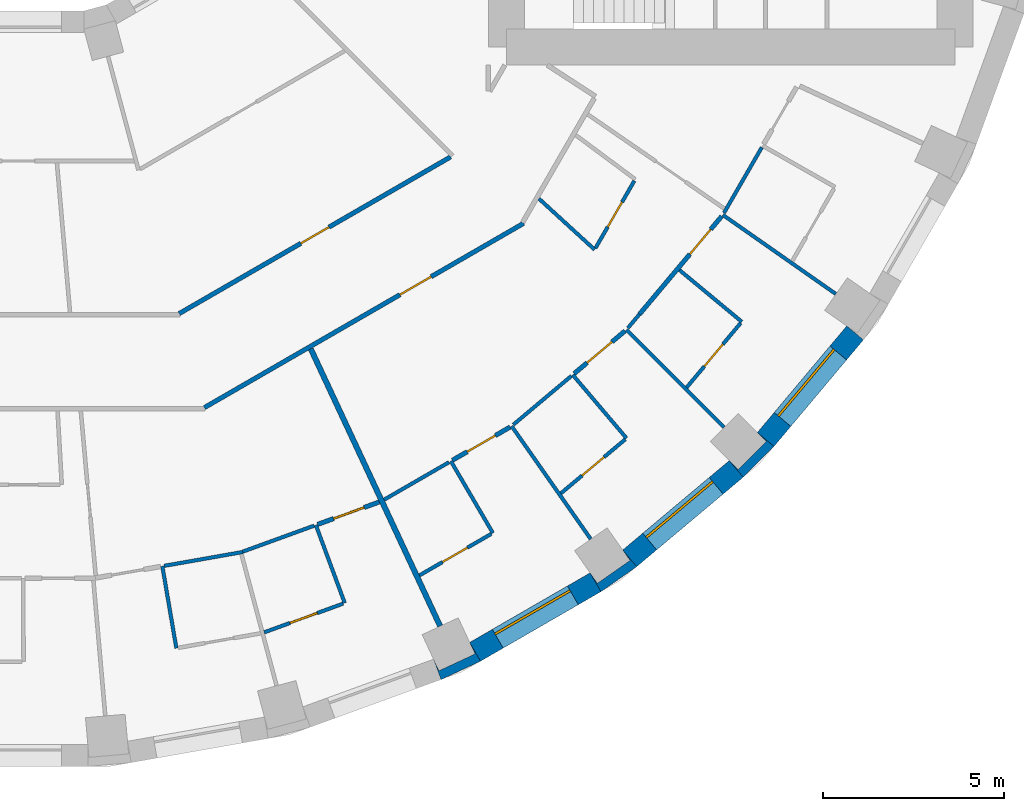
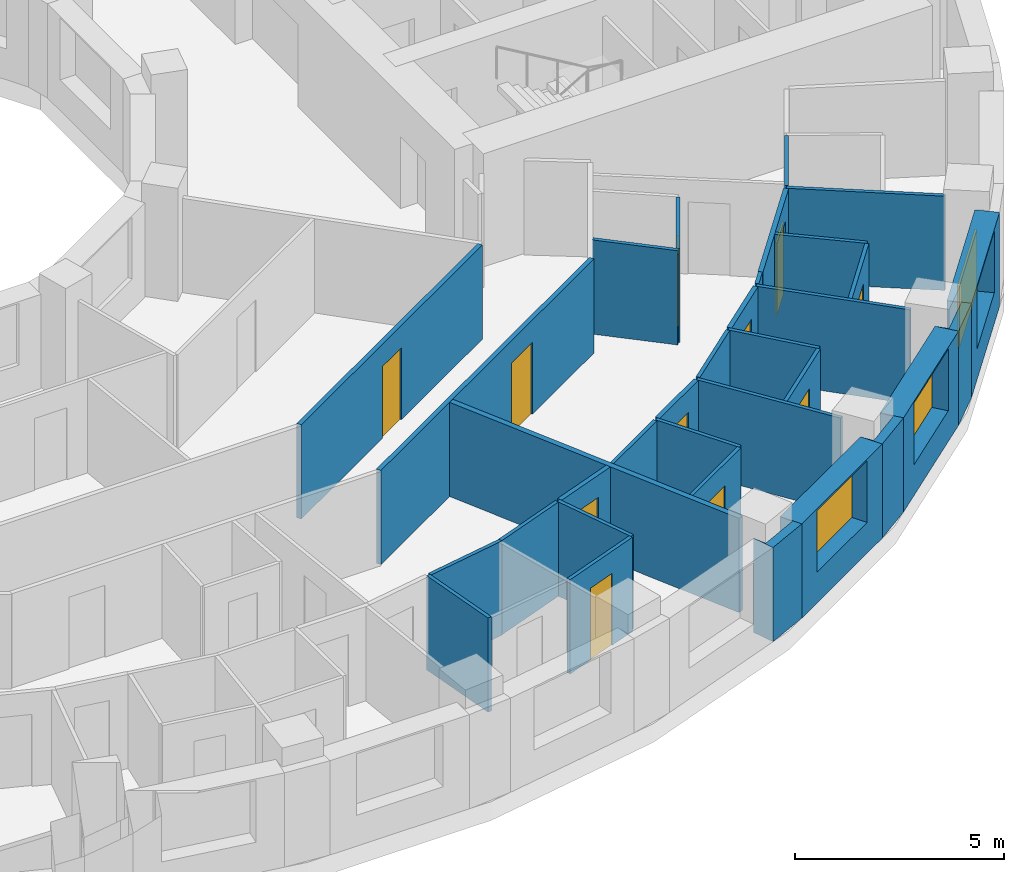
# One storey, part 7 of 15: 33 walls, 11 doors, 3 windows, 14 openings.
"""IFC4 building model written with IfcOpenShell, lengths in metres."""

from ifc_helpers import new_model, si_unit, direction, frame, frame_2d, origin, place, context, subcontext, project, spatial, polyline, rectangle, outline, extrude, material, layer, layer_set, type_object, element, fill, save


model = new_model("IFC4")

# Units and contexts
model_context = context("Model", 3, precision=1e-05, world=origin(), true_north=direction((0.0, 1.0)))
body_context = subcontext(model_context, "Body", "Model", "MODEL_VIEW")
ifc_project = project(units=[si_unit("LENGTHUNIT", "METRE"), si_unit("AREAUNIT", "SQUARE_METRE"), si_unit("VOLUMEUNIT", "CUBIC_METRE"), si_unit("PLANEANGLEUNIT", "RADIAN"), si_unit("MASSUNIT", "GRAM", prefix="KILO")], contexts=[model_context])

# Site, building, storey
site_placement = place(None, origin())
site = spatial("IfcSite", under=ifc_project, at=site_placement, CompositionType="ELEMENT")
building_placement = place(site_placement, origin())
building = spatial("IfcBuilding", under=site, at=building_placement, Name="Saqina Gate Tower", CompositionType="ELEMENT")
storey_placement = place(building_placement, frame((0.0, 0.0, 56.0)))
storey = spatial("IfcBuildingStorey", under=building, at=storey_placement, Name="L15", CompositionType="ELEMENT", Elevation=56.0)

# Walls
ifc_material_1 = material(Name="Brick masonry (red)", Category="masonry")
wall_type_1 = type_object("IfcWallType", Name="BRICK PIER COPING RED", PredefinedType="SOLIDWALL", material=ifc_material_1)
wall_1_placement = place(storey_placement, origin())
element("IfcWall", 1, at=wall_1_placement, inside=storey, type_object=wall_type_1, Name="Pier cap L15 column 30", PredefinedType="SOLIDWALL", context=body_context, shape_type="SweptSolid", body=[
    extrude(outline(polyline([(12.779541015625, -25.980712890625), (12.4794921875, -25.4609375), (12.627685546875, -25.778564453125), (11.630615234375, -26.243408203125), (11.482666015625, -25.92578125), (11.687744140625, -26.48974609375), (12.779541015625, -25.980712890625)])), origin(), (0.0, 0.0, 1.0), 2.75),
])
wall_2_placement = place(storey_placement, origin())
element("IfcWall", 2, at=wall_2_placement, inside=storey, type_object=wall_type_1, Name="Pier cap L15 column 31", PredefinedType="SOLIDWALL", context=body_context, shape_type="SweptSolid", body=[
    extrude(outline(polyline([(16.110107421875, -24.0576171875), (17.096923828125, -23.36669921875), (16.711181640625, -22.9072265625), (16.912109375, -23.194091796875), (16.010986328125, -23.8251953125), (15.81005859375, -23.5380859375), (16.110107421875, -24.0576171875)])), origin(), (0.0, 0.0, 1.0), 2.75),
])
wall_3_placement = place(storey_placement, origin())
element("IfcWall", 3, at=wall_3_placement, inside=storey, type_object=wall_type_1, Name="Pier cap L15 column 32", PredefinedType="SOLIDWALL", context=body_context, shape_type="SweptSolid", body=[
    extrude(outline(polyline([(20.894775390625, -20.04296875), (20.43505859375, -19.6572265625), (20.682861328125, -19.905029296875), (19.905029296875, -20.682861328125), (19.6572265625, -20.43505859375), (20.04296875, -20.894775390625), (20.894775390625, -20.04296875)])), origin(), (0.0, 0.0, 1.0), 2.75),
])

# Wall, opening, window
ifc_material_2 = material(Name="Brick masonry (red)", Category="masonry")
ifc_layer_1 = layer(ifc_material_2, 0.60009765625)
ifc_layer_set_1 = layer_set([ifc_layer_1], Name="FW-BRICK-RED")
wall_type_2 = type_object("IfcWallType", Name="FW-BRICK-RED", PredefinedType="SOLIDWALL", material=ifc_layer_set_1)
wall_4_placement = place(storey_placement, frame((12.629638671875, -25.720703125, 0.0), z_axis=(0.0, 0.0, 1.0), x_axis=(0.86603124159, 0.499989888488, 0.0)))
wall_4 = element("IfcWall", 4, at=wall_4_placement, inside=storey, type_object=wall_type_2, Name="Facade wall L15 facet 30", PredefinedType="SOLIDWALL", context=body_context, shape_type="SweptSolid", body=[
    extrude(rectangle(XDim=3.845703125, YDim=0.60009765625, at=frame_2d((1.9228515625, 0.0))), origin(), (0.0, 0.0, 1.0), 2.75),
])
opening_1_placement = place(wall_4_placement, frame((0.722900390625, 0.0, 0.89990234375)))
opening_1 = element("IfcOpeningElement", 5, at=opening_1_placement, cuts=wall_4, Name="Opening G04-W20", PredefinedType="OPENING", context=body_context, shape_type="SweptSolid", body=[
    extrude(rectangle(XDim=2.39990234375, YDim=1.800048828125, at=frame_2d((1.199951171875, 0.89990234375))), frame((0.0, 0.31201171875, 0.0), z_axis=(0.0, -1.0, 0.0), x_axis=(1.0, 0.0, 0.0)), (0.0, 0.0, 1.0), 0.6240234375),
])
ifc_material_3 = material(Name="Aluminium glazing", Category="aluminium")
window_type = type_object("IfcWindowType", Name="WN-A", PartitioningType="SINGLE_PANEL", PredefinedType="WINDOW", material=ifc_material_3)
window_1_placement = place(opening_1_placement, origin())
window_1 = element("IfcWindow", 6, at=window_1_placement, inside=storey, type_object=window_type, Name="Window L15 facet 30", OverallHeight=1.800048828125, OverallWidth=2.39990234375, PartitioningType="SINGLE_PANEL", PredefinedType="WINDOW", context=body_context, shape_type="SweptSolid", body=[
    extrude(rectangle(XDim=2.39990234375, YDim=1.800048828125, at=frame_2d((1.199951171875, 0.89990234375))), frame((0.0, 0.179931640625, 0.0), z_axis=(0.0, -1.0, 0.0), x_axis=(1.0, 0.0, 0.0)), (0.0, 0.0, 1.0), 0.06005859375),
])
fill(opening_1, window_1)

wall_5_placement = place(storey_placement, frame((16.904052734375, -23.136962890625, 0.0), z_axis=(0.0, 0.0, 1.0), x_axis=(0.766026164483, 0.642809392687, 0.0)))
wall_5 = element("IfcWall", 7, at=wall_5_placement, inside=storey, type_object=wall_type_2, Name="Facade wall L15 facet 31", PredefinedType="SOLIDWALL", context=body_context, shape_type="SweptSolid", body=[
    extrude(rectangle(XDim=3.845947265625, YDim=0.60009765625, at=frame_2d((1.9228515625, 0.0))), origin(), (0.0, 0.0, 1.0), 2.75),
])
opening_2_placement = place(wall_5_placement, frame((0.722900390625, 0.0, 0.89990234375)))
opening_2 = element("IfcOpeningElement", 8, at=opening_2_placement, cuts=wall_5, Name="Opening G04-W21", PredefinedType="OPENING", context=body_context, shape_type="SweptSolid", body=[
    extrude(rectangle(XDim=2.39990234375, YDim=1.800048828125, at=frame_2d((1.199951171875, 0.89990234375))), frame((0.0, 0.31201171875, 0.0), z_axis=(0.0, -1.0, 0.0), x_axis=(1.0, 0.0, 0.0)), (0.0, 0.0, 1.0), 0.6240234375),
])
window_2_placement = place(opening_2_placement, origin())
window_2 = element("IfcWindow", 9, at=window_2_placement, inside=storey, type_object=window_type, Name="Window L15 facet 31", OverallHeight=1.800048828125, OverallWidth=2.39990234375, PartitioningType="SINGLE_PANEL", PredefinedType="WINDOW", context=body_context, shape_type="SweptSolid", body=[
    extrude(rectangle(XDim=2.39990234375, YDim=1.800048828125, at=frame_2d((1.199951171875, 0.89990234375))), frame((0.0, 0.179931640625, 0.0), z_axis=(0.0, -1.0, 0.0), x_axis=(1.0, 0.0, 0.0)), (0.0, 0.0, 1.0), 0.06005859375),
])
fill(opening_2, window_2)

wall_6_placement = place(storey_placement, frame((20.664794921875, -19.85009765625, 0.0), z_axis=(0.0, 0.0, 1.0), x_axis=(0.642809392687, 0.766026164483, 0.0)))
wall_6 = element("IfcWall", 10, at=wall_6_placement, inside=storey, type_object=wall_type_2, Name="Facade wall L15 facet 32", PredefinedType="SOLIDWALL", context=body_context, shape_type="SweptSolid", body=[
    extrude(rectangle(XDim=3.845947265625, YDim=0.60009765625, at=frame_2d((1.9228515625, 0.0))), origin(), (0.0, 0.0, 1.0), 2.75),
])
opening_3_placement = place(wall_6_placement, frame((0.722900390625, 0.0, 0.89990234375)))
opening_3 = element("IfcOpeningElement", 11, at=opening_3_placement, cuts=wall_6, Name="Opening G04-W22", PredefinedType="OPENING", context=body_context, shape_type="SweptSolid", body=[
    extrude(rectangle(XDim=2.39990234375, YDim=1.800048828125, at=frame_2d((1.199951171875, 0.89990234375))), frame((0.0, 0.31201171875, 0.0), z_axis=(0.0, -1.0, 0.0), x_axis=(1.0, 0.0, 0.0)), (0.0, 0.0, 1.0), 0.6240234375),
])
window_3_placement = place(opening_3_placement, origin())
window_3 = element("IfcWindow", 12, at=window_3_placement, inside=storey, type_object=window_type, Name="Window L15 facet 32", OverallHeight=1.800048828125, OverallWidth=2.39990234375, PartitioningType="SINGLE_PANEL", PredefinedType="WINDOW", context=body_context, shape_type="SweptSolid", body=[
    extrude(rectangle(XDim=2.39990234375, YDim=1.800048828125, at=frame_2d((1.199951171875, 0.89990234375))), frame((0.0, 0.179931640625, 0.0), z_axis=(0.0, -1.0, 0.0), x_axis=(1.0, 0.0, 0.0)), (0.0, 0.0, 1.0), 0.06005859375),
])
fill(opening_3, window_3)

# Walls
ifc_material_4 = material(Name="Gypsum board on steel studs, 100 mm", Category="steel")
ifc_layer_2 = layer(ifc_material_4, 0.10009765625)
ifc_layer_set_2 = layer_set([ifc_layer_2], Name="PARTITION 100")
wall_type_3 = type_object("IfcWallType", Name="PARTITION 100", PredefinedType="PARTITIONING", material=ifc_layer_set_2)
wall_7_placement = place(storey_placement, frame((3.98291015625, -23.35302734375, 0.0), z_axis=(0.0, 0.0, 1.0), x_axis=(0.168356840278, -0.985726115273, 0.0)))
element("IfcWall", 13, at=wall_7_placement, inside=storey, type_object=wall_type_3, Name="PARTITION PW3-07", PredefinedType="PARTITIONING", context=body_context, shape_type="SweptSolid", body=[
    extrude(rectangle(XDim=2.2998046875, YDim=0.10009765625, at=frame_2d((1.14990234375, 0.0))), origin(), (0.0, 0.0, 1.0), 2.75),
])
wall_8_placement = place(storey_placement, frame((8.22705078125, -22.216064453125, 0.0), z_axis=(0.0, 0.0, 1.0), x_axis=(0.347431936108, -0.937705204087, 0.0)))
element("IfcWall", 14, at=wall_8_placement, inside=storey, type_object=wall_type_3, Name="PARTITION PW3-13", PredefinedType="PARTITIONING", context=body_context, shape_type="SweptSolid", body=[
    extrude(rectangle(XDim=2.29931640625, YDim=0.10009765625, at=frame_2d((1.149658203125, 0.0))), origin(), (0.0, 0.0, 1.0), 2.75),
])
wall_9_placement = place(storey_placement, frame((11.9599609375, -20.448974609375, 0.0), z_axis=(0.0, 0.0, 1.0), x_axis=(0.504708754908, -0.863289680651, 0.0)))
element("IfcWall", 15, at=wall_9_placement, inside=storey, type_object=wall_type_3, Name="PARTITION PW3-18", PredefinedType="PARTITIONING", context=body_context, shape_type="SweptSolid", body=[
    extrude(rectangle(XDim=2.300537109375, YDim=0.10009765625, at=frame_2d((1.150390625, 0.0))), origin(), (0.0, 0.0, 1.0), 2.75),
])
wall_10_placement = place(storey_placement, frame((13.639892578125, -19.47998046875, 0.0), z_axis=(0.0, 0.0, 1.0), x_axis=(0.573574167811, -0.819153632733, 0.0)))
element("IfcWall", 16, at=wall_10_placement, inside=storey, type_object=wall_type_3, Name="PARTITION PW3-20", PredefinedType="PARTITIONING", context=body_context, shape_type="SweptSolid", body=[
    extrude(rectangle(XDim=3.8095703125, YDim=0.10009765625, at=frame_2d((1.90478515625, 0.0))), origin(), (0.0, 0.0, 1.0), 2.75),
])
wall_11_placement = place(storey_placement, frame((15.3291015625, -18.06201171875, 0.0), z_axis=(0.0, 0.0, 1.0), x_axis=(0.646883930741, -0.762588473653, 0.0)))
element("IfcWall", 17, at=wall_11_placement, inside=storey, type_object=wall_type_3, Name="PARTITION PW3-24", PredefinedType="PARTITIONING", context=body_context, shape_type="SweptSolid", body=[
    extrude(rectangle(XDim=2.300048828125, YDim=0.10009765625, at=frame_2d((1.14990234375, 0.0))), origin(), (0.0, 0.0, 1.0), 2.75),
])
wall_12_placement = place(storey_placement, frame((16.81494140625, -16.81494140625, 0.0), z_axis=(0.0, 0.0, 1.0), x_axis=(0.707106781187, -0.707106781187, 0.0)))
element("IfcWall", 18, at=wall_12_placement, inside=storey, type_object=wall_type_3, Name="PARTITION PW3-26", PredefinedType="PARTITIONING", context=body_context, shape_type="SweptSolid", body=[
    extrude(rectangle(XDim=3.81005859375, YDim=0.10009765625, at=frame_2d((1.905029296875, 0.0))), origin(), (0.0, 0.0, 1.0), 2.75),
])
wall_13_placement = place(storey_placement, frame((14.394287109375, -13.1904296875, 0.0), z_axis=(0.0, 0.0, 1.0), x_axis=(0.73735307629, -0.675507543175, 0.0)))
element("IfcWall", 19, at=wall_13_placement, inside=storey, type_object=wall_type_3, Name="PARTITION PW3-28", PredefinedType="PARTITIONING", context=body_context, shape_type="SweptSolid", body=[
    extrude(rectangle(XDim=2.08837890625, YDim=0.10009765625, at=frame_2d((1.044189453125, 0.0))), origin(), (0.0, 0.0, 1.0), 2.75),
])
wall_14_placement = place(storey_placement, frame((18.281005859375, -15.166015625, 0.0), z_axis=(0.0, 0.0, 1.0), x_axis=(0.769748804589, -0.638346910257, 0.0)))
element("IfcWall", 20, at=wall_14_placement, inside=storey, type_object=wall_type_3, Name="PARTITION PW3-33", PredefinedType="PARTITIONING", context=body_context, shape_type="SweptSolid", body=[
    extrude(rectangle(XDim=2.237060546875, YDim=0.10009765625, at=frame_2d((1.11865234375, 0.0))), origin(), (0.0, 0.0, 1.0), 2.75),
])
wall_15_placement = place(storey_placement, frame((19.47998046875, -13.639892578125, 0.0), z_axis=(0.0, 0.0, 1.0), x_axis=(0.819153632733, -0.573574167811, 0.0)))
element("IfcWall", 21, at=wall_15_placement, inside=storey, type_object=wall_type_3, Name="PARTITION PW3-37", PredefinedType="PARTITIONING", context=body_context, shape_type="SweptSolid", body=[
    extrude(rectangle(XDim=3.8095703125, YDim=0.10009765625, at=frame_2d((1.90478515625, 0.0))), origin(), (0.0, 0.0, 1.0), 2.75),
])
wall_16_placement = place(storey_placement, frame((4.0322265625, -23.34423828125, 0.0), z_axis=(0.0, 0.0, 1.0), x_axis=(0.98481362095, 0.173614895648, 0.0)))
element("IfcWall", 22, at=wall_16_placement, inside=storey, type_object=wall_type_3, Name="PARTITION PW3-64", PredefinedType="PARTITIONING", context=body_context, shape_type="SweptSolid", body=[
    extrude(rectangle(XDim=2.206298828125, YDim=0.10009765625, at=frame_2d((1.10302734375, 0.0))), origin(), (0.0, 0.0, 1.0), 2.75),
])

# Wall, opening, door
wall_17_placement = place(storey_placement, frame((6.799072265625, -25.182861328125, 0.0), z_axis=(0.0, 0.0, 1.0), x_axis=(0.939655079874, 0.342123268526, 0.0)))
wall_17 = element("IfcWall", 23, at=wall_17_placement, inside=storey, type_object=wall_type_3, Name="PARTITION PW3-67", PredefinedType="PARTITIONING", context=body_context, shape_type="SweptSolid", body=[
    extrude(rectangle(XDim=2.31982421875, YDim=0.10009765625, at=frame_2d((1.159912109375, 0.0))), origin(), (0.0, 0.0, 1.0), 2.75),
])
opening_4_placement = place(wall_17_placement, frame((0.760009765625, 0.0, 0.0)))
opening_4 = element("IfcOpeningElement", 24, at=opening_4_placement, cuts=wall_17, Name="Opening G04-D54", PredefinedType="OPENING", context=body_context, shape_type="SweptSolid", body=[
    extrude(rectangle(XDim=0.800048828125, YDim=2.10009765625, at=frame_2d((0.39990234375, 1.050048828125))), frame((0.0, 0.06201171875, 0.0), z_axis=(0.0, -1.0, 0.0), x_axis=(1.0, 0.0, 0.0)), (0.0, 0.0, 1.0), 0.1240234375),
])
ifc_material_5 = material(Name="Timber door leaf, 800 mm", Category="wood")
door_type_1 = type_object("IfcDoorType", Name="DOOR 800 TIMBER", OperationType="SINGLE_SWING_LEFT", PredefinedType="DOOR", material=ifc_material_5)
door_1_placement = place(opening_4_placement, frame((0.800048828125, 0.0, 0.0), z_axis=(0.0, 0.0, 1.0), x_axis=(-1.0, 0.0, 0.0)))
door_1 = element("IfcDoor", 25, at=door_1_placement, inside=storey, type_object=door_type_1, Name="DOOR G04-D54", OperationType="SINGLE_SWING_RIGHT", OverallHeight=2.10009765625, OverallWidth=0.800048828125, PredefinedType="DOOR", context=body_context, shape_type="SweptSolid", body=[
    extrude(rectangle(XDim=0.800048828125, YDim=2.10009765625, at=frame_2d((0.39990234375, 1.050048828125))), frame((0.0, 0.02490234375, 0.0), z_axis=(0.0, -1.0, 0.0), x_axis=(1.0, 0.0, 0.0)), (0.0, 0.0, 1.0), 0.050048828125),
])
fill(opening_4, door_1)

# Wall
wall_18_placement = place(storey_placement, frame((6.201904296875, -22.952880859375, 0.0), z_axis=(0.0, 0.0, 1.0), x_axis=(0.939725675468, 0.341929312674, 0.0)))
element("IfcWall", 26, at=wall_18_placement, inside=storey, type_object=wall_type_3, Name="PARTITION PW3-68", PredefinedType="PARTITIONING", context=body_context, shape_type="SweptSolid", body=[
    extrude(rectangle(XDim=2.10498046875, YDim=0.10009765625, at=frame_2d((1.052490234375, 0.0))), origin(), (0.0, 0.0, 1.0), 2.75),
])

# Wall, opening, door
wall_19_placement = place(storey_placement, frame((11.091064453125, -23.607421875, 0.0), z_axis=(0.0, 0.0, 1.0), x_axis=(0.865928578621, 0.500167668615, 0.0)))
wall_19 = element("IfcWall", 27, at=wall_19_placement, inside=storey, type_object=wall_type_3, Name="PARTITION PW3-72", PredefinedType="PARTITIONING", context=body_context, shape_type="SweptSolid", body=[
    extrude(rectangle(XDim=2.294189453125, YDim=0.10009765625, at=frame_2d((1.14697265625, 0.0))), origin(), (0.0, 0.0, 1.0), 2.75),
])
opening_5_placement = place(wall_19_placement, frame((0.734619140625, 0.0, 0.0)))
opening_5 = element("IfcOpeningElement", 28, at=opening_5_placement, cuts=wall_19, Name="Opening G04-D56", PredefinedType="OPENING", context=body_context, shape_type="SweptSolid", body=[
    extrude(rectangle(XDim=0.800048828125, YDim=2.10009765625, at=frame_2d((0.39990234375, 1.050048828125))), frame((0.0, 0.06201171875, 0.0), z_axis=(0.0, -1.0, 0.0), x_axis=(1.0, 0.0, 0.0)), (0.0, 0.0, 1.0), 0.1240234375),
])
door_2_placement = place(opening_5_placement, frame((0.800048828125, 0.0, 0.0), z_axis=(0.0, 0.0, 1.0), x_axis=(-1.0, 0.0, 0.0)))
door_2 = element("IfcDoor", 29, at=door_2_placement, inside=storey, type_object=door_type_1, Name="DOOR G04-D56", OperationType="SINGLE_SWING_RIGHT", OverallHeight=2.10009765625, OverallWidth=0.800048828125, PredefinedType="DOOR", context=body_context, shape_type="SweptSolid", body=[
    extrude(rectangle(XDim=0.800048828125, YDim=2.10009765625, at=frame_2d((0.39990234375, 1.050048828125))), frame((0.0, 0.02490234375, 0.0), z_axis=(0.0, -1.0, 0.0), x_axis=(1.0, 0.0, 0.0)), (0.0, 0.0, 1.0), 0.050048828125),
])
fill(opening_5, door_2)

# Wall
wall_20_placement = place(storey_placement, frame((10.114990234375, -21.514404296875, 0.0), z_axis=(0.0, 0.0, 1.0), x_axis=(0.865967335607, 0.500100563549, 0.0)))
element("IfcWall", 30, at=wall_20_placement, inside=storey, type_object=wall_type_3, Name="PARTITION PW3-73", PredefinedType="PARTITIONING", context=body_context, shape_type="SweptSolid", body=[
    extrude(rectangle(XDim=2.06787109375, YDim=0.10009765625, at=frame_2d((1.033935546875, 0.0))), origin(), (0.0, 0.0, 1.0), 2.75),
])

# Wall, opening, door
wall_21_placement = place(storey_placement, frame((15.002197265625, -21.3388671875, 0.0), z_axis=(0.0, 0.0, 1.0), x_axis=(0.766051078848, 0.642779701449, 0.0)))
wall_21 = element("IfcWall", 31, at=wall_21_placement, inside=storey, type_object=wall_type_3, Name="PARTITION PW3-79", PredefinedType="PARTITIONING", context=body_context, shape_type="SweptSolid", body=[
    extrude(rectangle(XDim=2.319091796875, YDim=0.10009765625, at=frame_2d((1.15966796875, 0.0))), origin(), (0.0, 0.0, 1.0), 2.75),
])
opening_6_placement = place(wall_21_placement, frame((0.759521484375, 0.0, 0.0)))
opening_6 = element("IfcOpeningElement", 32, at=opening_6_placement, cuts=wall_21, Name="Opening G04-D61", PredefinedType="OPENING", context=body_context, shape_type="SweptSolid", body=[
    extrude(rectangle(XDim=0.800048828125, YDim=2.10009765625, at=frame_2d((0.39990234375, 1.050048828125))), frame((0.0, 0.06201171875, 0.0), z_axis=(0.0, -1.0, 0.0), x_axis=(1.0, 0.0, 0.0)), (0.0, 0.0, 1.0), 0.1240234375),
])
door_3_placement = place(opening_6_placement, frame((0.800048828125, 0.0, 0.0), z_axis=(0.0, 0.0, 1.0), x_axis=(-1.0, 0.0, 0.0)))
door_3 = element("IfcDoor", 33, at=door_3_placement, inside=storey, type_object=door_type_1, Name="DOOR G04-D61", OperationType="SINGLE_SWING_RIGHT", OverallHeight=2.10009765625, OverallWidth=0.800048828125, PredefinedType="DOOR", context=body_context, shape_type="SweptSolid", body=[
    extrude(rectangle(XDim=0.800048828125, YDim=2.10009765625, at=frame_2d((0.39990234375, 1.050048828125))), frame((0.0, 0.02490234375, 0.0), z_axis=(0.0, -1.0, 0.0), x_axis=(1.0, 0.0, 0.0)), (0.0, 0.0, 1.0), 0.050048828125),
])
fill(opening_6, door_3)

# Wall
wall_22_placement = place(storey_placement, frame((13.68798828125, -19.439697265625, 0.0), z_axis=(0.0, 0.0, 1.0), x_axis=(0.765911671875, 0.642945807114, 0.0)))
element("IfcWall", 34, at=wall_22_placement, inside=storey, type_object=wall_type_3, Name="PARTITION PW3-80", PredefinedType="PARTITIONING", context=body_context, shape_type="SweptSolid", body=[
    extrude(rectangle(XDim=2.092529296875, YDim=0.10009765625, at=frame_2d((1.04638671875, 0.0))), origin(), (0.0, 0.0, 1.0), 2.75),
])

# Wall, opening, door
wall_23_placement = place(storey_placement, frame((18.480224609375, -18.40966796875, 0.0), z_axis=(0.0, 0.0, 1.0), x_axis=(0.642624220064, 0.766181513603, 0.0)))
wall_23 = element("IfcWall", 35, at=wall_23_placement, inside=storey, type_object=wall_type_3, Name="PARTITION PW3-85", PredefinedType="PARTITIONING", context=body_context, shape_type="SweptSolid", body=[
    extrude(rectangle(XDim=2.31982421875, YDim=0.10009765625, at=frame_2d((1.159912109375, 0.0))), origin(), (0.0, 0.0, 1.0), 2.75),
])
opening_7_placement = place(wall_23_placement, frame((0.760009765625, 0.0, 0.0)))
opening_7 = element("IfcOpeningElement", 36, at=opening_7_placement, cuts=wall_23, Name="Opening G04-D63", PredefinedType="OPENING", context=body_context, shape_type="SweptSolid", body=[
    extrude(rectangle(XDim=0.800048828125, YDim=2.10009765625, at=frame_2d((0.39990234375, 1.050048828125))), frame((0.0, 0.06201171875, 0.0), z_axis=(0.0, -1.0, 0.0), x_axis=(1.0, 0.0, 0.0)), (0.0, 0.0, 1.0), 0.1240234375),
])
door_4_placement = place(opening_7_placement, frame((0.800048828125, 0.0, 0.0), z_axis=(0.0, 0.0, 1.0), x_axis=(-1.0, 0.0, 0.0)))
door_4 = element("IfcDoor", 37, at=door_4_placement, inside=storey, type_object=door_type_1, Name="DOOR G04-D63", OperationType="SINGLE_SWING_LEFT", OverallHeight=2.10009765625, OverallWidth=0.800048828125, PredefinedType="DOOR", context=body_context, shape_type="SweptSolid", body=[
    extrude(rectangle(XDim=0.800048828125, YDim=2.10009765625, at=frame_2d((0.39990234375, 1.050048828125))), frame((0.0, 0.02490234375, 0.0), z_axis=(0.0, -1.0, 0.0), x_axis=(1.0, 0.0, 0.0)), (0.0, 0.0, 1.0), 0.050048828125),
])
fill(opening_7, door_4)

# Walls
wall_24_placement = place(storey_placement, frame((16.855224609375, -16.76708984375, 0.0), z_axis=(0.0, 0.0, 1.0), x_axis=(0.643065922472, 0.765810824784, 0.0)))
element("IfcWall", 38, at=wall_24_placement, inside=storey, type_object=wall_type_3, Name="PARTITION PW3-86", PredefinedType="PARTITIONING", context=body_context, shape_type="SweptSolid", body=[
    extrude(rectangle(XDim=0.499267578125, YDim=0.10009765625, at=frame_2d((0.24951171875, 0.0))), origin(), (0.0, 0.0, 1.0), 2.75),
])
wall_25_placement = place(storey_placement, frame((19.51123046875, -13.5859375, 0.0), z_axis=(0.0, 0.0, 1.0), x_axis=(0.499752749986, 0.866168106594, 0.0)))
element("IfcWall", 39, at=wall_25_placement, inside=storey, type_object=wall_type_3, Name="PARTITION PW3-92", PredefinedType="PARTITIONING", context=body_context, shape_type="SweptSolid", body=[
    extrude(rectangle(XDim=2.0927734375, YDim=0.10009765625, at=frame_2d((1.04638671875, 0.0))), origin(), (0.0, 0.0, 1.0), 2.75),
])

# Wall, opening, door
wall_26_placement = place(storey_placement, frame((15.958984375, -14.5576171875, 0.0), z_axis=(0.0, 0.0, 1.0), x_axis=(0.500017897371, 0.866015070486, 0.0)))
wall_26 = element("IfcWall", 40, at=wall_26_placement, inside=storey, type_object=wall_type_3, Name="PARTITION PW3-93", PredefinedType="PARTITIONING", context=body_context, shape_type="SweptSolid", body=[
    extrude(rectangle(XDim=2.14599609375, YDim=0.10009765625, at=frame_2d((1.072998046875, 0.0))), origin(), (0.0, 0.0, 1.0), 2.75),
])
opening_8_placement = place(wall_26_placement, frame((0.673095703125, 0.0, 0.0)))
opening_8 = element("IfcOpeningElement", 41, at=opening_8_placement, cuts=wall_26, Name="Opening G04-D64", PredefinedType="OPENING", context=body_context, shape_type="SweptSolid", body=[
    extrude(rectangle(XDim=0.800048828125, YDim=2.10009765625, at=frame_2d((0.39990234375, 1.050048828125))), frame((0.0, 0.06201171875, 0.0), z_axis=(0.0, -1.0, 0.0), x_axis=(1.0, 0.0, 0.0)), (0.0, 0.0, 1.0), 0.1240234375),
])
door_5_placement = place(opening_8_placement, frame((0.800048828125, 0.0, 0.0), z_axis=(0.0, 0.0, 1.0), x_axis=(-1.0, 0.0, 0.0)))
door_5 = element("IfcDoor", 42, at=door_5_placement, inside=storey, type_object=door_type_1, Name="DOOR G04-D64", OperationType="SINGLE_SWING_LEFT", OverallHeight=2.10009765625, OverallWidth=0.800048828125, PredefinedType="DOOR", context=body_context, shape_type="SweptSolid", body=[
    extrude(rectangle(XDim=0.800048828125, YDim=2.10009765625, at=frame_2d((0.39990234375, 1.050048828125))), frame((0.0, 0.02490234375, 0.0), z_axis=(0.0, -1.0, 0.0), x_axis=(1.0, 0.0, 0.0)), (0.0, 0.0, 1.0), 0.050048828125),
])
fill(opening_8, door_5)

ifc_material_6 = material(Name="Gypsum board on steel studs, 125 mm, fire rated", Category="steel")
ifc_layer_3 = layer(ifc_material_6, 0.125)
ifc_layer_set_3 = layer_set([ifc_layer_3], Name="PARTITION EI 30 125")
wall_type_4 = type_object("IfcWallType", Name="PARTITION EI 30 125", PredefinedType="PARTITIONING", material=ifc_layer_set_3)
wall_27_placement = place(storey_placement, frame((8.27392578125, -22.198974609375, 0.0), z_axis=(0.0, 0.0, 1.0), x_axis=(0.939592989856, 0.342293753104, 0.0)))
wall_27 = element("IfcWall", 43, at=wall_27_placement, inside=storey, type_object=wall_type_4, Name="PARTITION PW1-29", PredefinedType="PARTITIONING", context=body_context, shape_type="SweptSolid", body=[
    extrude(rectangle(XDim=1.815185546875, YDim=0.125, at=frame_2d((0.90771484375, 0.0))), origin(), (0.0, 0.0, 1.0), 2.75),
])
opening_9_placement = place(wall_27_placement, frame((0.47021484375, 0.0, 0.0)))
opening_9 = element("IfcOpeningElement", 44, at=opening_9_placement, cuts=wall_27, Name="Opening G04-D55", PredefinedType="OPENING", context=body_context, shape_type="SweptSolid", body=[
    extrude(rectangle(XDim=0.89990234375, YDim=2.10009765625, at=frame_2d((0.449951171875, 1.050048828125))), frame((0.0, 0.074462890625, 0.0), z_axis=(0.0, -1.0, 0.0), x_axis=(1.0, 0.0, 0.0)), (0.0, 0.0, 1.0), 0.14892578125),
])
ifc_material_7 = material(Name="Fire door leaf EI 30, 900 mm")
door_type_2 = type_object("IfcDoorType", Name="DOOR 900 EI 30", OperationType="SINGLE_SWING_LEFT", PredefinedType="DOOR", material=ifc_material_7)
door_6_placement = place(opening_9_placement, origin())
door_6 = element("IfcDoor", 45, at=door_6_placement, inside=storey, type_object=door_type_2, Name="DOOR G04-D55", OperationType="SINGLE_SWING_RIGHT", OverallHeight=2.10009765625, OverallWidth=0.89990234375, PredefinedType="DOOR", context=body_context, shape_type="SweptSolid", body=[
    extrude(rectangle(XDim=0.89990234375, YDim=2.10009765625, at=frame_2d((0.449951171875, 1.050048828125))), frame((0.0, 0.02490234375, 0.0), z_axis=(0.0, -1.0, 0.0), x_axis=(1.0, 0.0, 0.0)), (0.0, 0.0, 1.0), 0.050048828125),
])
fill(opening_9, door_6)

wall_28_placement = place(storey_placement, frame((12.00341796875, -20.424072265625, 0.0), z_axis=(0.0, 0.0, 1.0), x_axis=(0.866538954681, 0.499109446936, 0.0)))
wall_28 = element("IfcWall", 46, at=wall_28_placement, inside=storey, type_object=wall_type_4, Name="PARTITION PW1-31", PredefinedType="PARTITIONING", context=body_context, shape_type="SweptSolid", body=[
    extrude(rectangle(XDim=1.839111328125, YDim=0.125, at=frame_2d((0.91943359375, 0.0))), origin(), (0.0, 0.0, 1.0), 2.75),
])
opening_10_placement = place(wall_28_placement, frame((0.4697265625, 0.0, 0.0)))
opening_10 = element("IfcOpeningElement", 47, at=opening_10_placement, cuts=wall_28, Name="Opening G04-D59", PredefinedType="OPENING", context=body_context, shape_type="SweptSolid", body=[
    extrude(rectangle(XDim=0.89990234375, YDim=2.10009765625, at=frame_2d((0.449951171875, 1.050048828125))), frame((0.0, 0.074462890625, 0.0), z_axis=(0.0, -1.0, 0.0), x_axis=(1.0, 0.0, 0.0)), (0.0, 0.0, 1.0), 0.14892578125),
])
door_7_placement = place(opening_10_placement, origin())
door_7 = element("IfcDoor", 48, at=door_7_placement, inside=storey, type_object=door_type_2, Name="DOOR G04-D59", OperationType="SINGLE_SWING_RIGHT", OverallHeight=2.10009765625, OverallWidth=0.89990234375, PredefinedType="DOOR", context=body_context, shape_type="SweptSolid", body=[
    extrude(rectangle(XDim=0.89990234375, YDim=2.10009765625, at=frame_2d((0.449951171875, 1.050048828125))), frame((0.0, 0.02490234375, 0.0), z_axis=(0.0, -1.0, 0.0), x_axis=(1.0, 0.0, 0.0)), (0.0, 0.0, 1.0), 0.050048828125),
])
fill(opening_10, door_7)

wall_29_placement = place(storey_placement, frame((5.14501953125, -18.96875, 0.0), z_axis=(0.0, 0.0, 1.0), x_axis=(0.866024825845, 0.50000100102, 0.0)))
wall_29 = element("IfcWall", 49, at=wall_29_placement, inside=storey, type_object=wall_type_4, Name="PARTITION PW1-33", PredefinedType="PARTITIONING", context=body_context, shape_type="SweptSolid", body=[
    extrude(rectangle(XDim=10.19189453125, YDim=0.125, at=frame_2d((5.095947265625, 0.0))), origin(), (0.0, 0.0, 1.0), 2.75),
])
opening_11_placement = place(wall_29_placement, frame((6.24267578125, 0.0, 0.0)))
opening_11 = element("IfcOpeningElement", 50, at=opening_11_placement, cuts=wall_29, Name="Opening G04-D60", PredefinedType="OPENING", context=body_context, shape_type="SweptSolid", body=[
    extrude(rectangle(XDim=1.0, YDim=2.10009765625, at=frame_2d((0.5, 1.050048828125))), frame((0.0, 0.074462890625, 0.0), z_axis=(0.0, -1.0, 0.0), x_axis=(1.0, 0.0, 0.0)), (0.0, 0.0, 1.0), 0.14892578125),
])
ifc_material_8 = material(Name="Fire door leaf EI 30, 1000 mm")
door_type_3 = type_object("IfcDoorType", Name="DOOR 1000 EI 30", OperationType="SINGLE_SWING_LEFT", PredefinedType="DOOR", material=ifc_material_8)
door_8_placement = place(opening_11_placement, frame((1.0, 0.0, 0.0), z_axis=(0.0, 0.0, 1.0), x_axis=(-1.0, 0.0, 0.0)))
door_8 = element("IfcDoor", 51, at=door_8_placement, inside=storey, type_object=door_type_3, Name="DOOR G04-D60", OperationType="SINGLE_SWING_LEFT", OverallHeight=2.10009765625, OverallWidth=1.0, PredefinedType="DOOR", context=body_context, shape_type="SweptSolid", body=[
    extrude(rectangle(XDim=1.0, YDim=2.10009765625, at=frame_2d((0.5, 1.050048828125))), frame((0.0, 0.02490234375, 0.0), z_axis=(0.0, -1.0, 0.0), x_axis=(1.0, 0.0, 0.0)), (0.0, 0.0, 1.0), 0.050048828125),
])
fill(opening_11, door_8)

wall_30_placement = place(storey_placement, frame((4.4482421875, -16.36865234375, 0.0), z_axis=(0.0, 0.0, 1.0), x_axis=(0.866072505035, 0.499918409365, 0.0)))
wall_30 = element("IfcWall", 52, at=wall_30_placement, inside=storey, type_object=wall_type_4, Name="PARTITION PW1-34", PredefinedType="PARTITIONING", context=body_context, shape_type="SweptSolid", body=[
    extrude(rectangle(XDim=8.6640625, YDim=0.125, at=frame_2d((4.33203125, 0.0))), origin(), (0.0, 0.0, 1.0), 2.75),
])
opening_12_placement = place(wall_30_placement, frame((3.882080078125, 0.0, 0.0)))
opening_12 = element("IfcOpeningElement", 53, at=opening_12_placement, cuts=wall_30, Name="Opening G04-D58", PredefinedType="OPENING", context=body_context, shape_type="SweptSolid", body=[
    extrude(rectangle(XDim=0.89990234375, YDim=2.10009765625, at=frame_2d((0.449951171875, 1.050048828125))), frame((0.0, 0.074462890625, 0.0), z_axis=(0.0, -1.0, 0.0), x_axis=(1.0, 0.0, 0.0)), (0.0, 0.0, 1.0), 0.14892578125),
])
door_9_placement = place(opening_12_placement, origin())
door_9 = element("IfcDoor", 54, at=door_9_placement, inside=storey, type_object=door_type_2, Name="DOOR G04-D58", OperationType="SINGLE_SWING_RIGHT", OverallHeight=2.10009765625, OverallWidth=0.89990234375, PredefinedType="DOOR", context=body_context, shape_type="SweptSolid", body=[
    extrude(rectangle(XDim=0.89990234375, YDim=2.10009765625, at=frame_2d((0.449951171875, 1.050048828125))), frame((0.0, 0.02490234375, 0.0), z_axis=(0.0, -1.0, 0.0), x_axis=(1.0, 0.0, 0.0)), (0.0, 0.0, 1.0), 0.050048828125),
])
fill(opening_12, door_9)

wall_31_placement = place(storey_placement, frame((15.3671875, -18.02978515625, 0.0), z_axis=(0.0, 0.0, 1.0), x_axis=(0.766052425686, 0.642778096314, 0.0)))
wall_31 = element("IfcWall", 55, at=wall_31_placement, inside=storey, type_object=wall_type_4, Name="PARTITION PW1-39", PredefinedType="PARTITIONING", context=body_context, shape_type="SweptSolid", body=[
    extrude(rectangle(XDim=1.83984375, YDim=0.125, at=frame_2d((0.919921875, 0.0))), origin(), (0.0, 0.0, 1.0), 2.75),
])
opening_13_placement = place(wall_31_placement, frame((0.469970703125, 0.0, 0.0)))
opening_13 = element("IfcOpeningElement", 56, at=opening_13_placement, cuts=wall_31, Name="Opening G04-D62", PredefinedType="OPENING", context=body_context, shape_type="SweptSolid", body=[
    extrude(rectangle(XDim=0.89990234375, YDim=2.10009765625, at=frame_2d((0.449951171875, 1.050048828125))), frame((0.0, 0.074462890625, 0.0), z_axis=(0.0, -1.0, 0.0), x_axis=(1.0, 0.0, 0.0)), (0.0, 0.0, 1.0), 0.14892578125),
])
door_10_placement = place(opening_13_placement, origin())
door_10 = element("IfcDoor", 57, at=door_10_placement, inside=storey, type_object=door_type_2, Name="DOOR G04-D62", OperationType="SINGLE_SWING_RIGHT", OverallHeight=2.10009765625, OverallWidth=0.89990234375, PredefinedType="DOOR", context=body_context, shape_type="SweptSolid", body=[
    extrude(rectangle(XDim=0.89990234375, YDim=2.10009765625, at=frame_2d((0.449951171875, 1.050048828125))), frame((0.0, 0.02490234375, 0.0), z_axis=(0.0, -1.0, 0.0), x_axis=(1.0, 0.0, 0.0)), (0.0, 0.0, 1.0), 0.050048828125),
])
fill(opening_13, door_10)

wall_32_placement = place(storey_placement, frame((17.176513671875, -16.385009765625, 0.0), z_axis=(0.0, 0.0, 1.0), x_axis=(0.642783651932, 0.766047764052, 0.0)))
wall_32 = element("IfcWall", 58, at=wall_32_placement, inside=storey, type_object=wall_type_4, Name="PARTITION PW1-44", PredefinedType="PARTITIONING", context=body_context, shape_type="SweptSolid", body=[
    extrude(rectangle(XDim=3.533447265625, YDim=0.125, at=frame_2d((1.7666015625, 0.0))), origin(), (0.0, 0.0, 1.0), 2.75),
])
opening_14_placement = place(wall_32_placement, frame((2.16357421875, 0.0, 0.0)))
opening_14 = element("IfcOpeningElement", 59, at=opening_14_placement, cuts=wall_32, Name="Opening G04-D65", PredefinedType="OPENING", context=body_context, shape_type="SweptSolid", body=[
    extrude(rectangle(XDim=0.89990234375, YDim=2.10009765625, at=frame_2d((0.449951171875, 1.050048828125))), frame((0.0, 0.074462890625, 0.0), z_axis=(0.0, -1.0, 0.0), x_axis=(1.0, 0.0, 0.0)), (0.0, 0.0, 1.0), 0.14892578125),
])
door_11_placement = place(opening_14_placement, origin())
door_11 = element("IfcDoor", 60, at=door_11_placement, inside=storey, type_object=door_type_2, Name="DOOR G04-D65", OperationType="SINGLE_SWING_RIGHT", OverallHeight=2.10009765625, OverallWidth=0.89990234375, PredefinedType="DOOR", context=body_context, shape_type="SweptSolid", body=[
    extrude(rectangle(XDim=0.89990234375, YDim=2.10009765625, at=frame_2d((0.449951171875, 1.050048828125))), frame((0.0, 0.02490234375, 0.0), z_axis=(0.0, -1.0, 0.0), x_axis=(1.0, 0.0, 0.0)), (0.0, 0.0, 1.0), 0.050048828125),
])
fill(opening_14, door_11)

# Wall
ifc_material_9 = material(Name="Gypsum board on steel studs, 150 mm, fire rated", Category="steel")
ifc_layer_4 = layer(ifc_material_9, 0.14990234375)
ifc_layer_set_4 = layer_set([ifc_layer_4], Name="PARTITION EI 60 150")
wall_type_5 = type_object("IfcWallType", Name="PARTITION EI 60 150", PredefinedType="PARTITIONING", material=ifc_layer_set_4)
wall_33_placement = place(storey_placement, frame((8.085693359375, -17.343017578125, 0.0), z_axis=(0.0, 0.0, 1.0), x_axis=(0.422898111985, -0.906177238116, 0.0)))
element("IfcWall", 61, at=wall_33_placement, inside=storey, type_object=wall_type_5, Name="PARTITION PW2-02", PredefinedType="PARTITIONING", context=body_context, shape_type="SweptSolid", body=[
    extrude(rectangle(XDim=8.45458984375, YDim=0.14990234375, at=frame_2d((4.227294921875, 0.0))), origin(), (0.0, 0.0, 1.0), 2.75),
])

save(model, "model.ifc")
